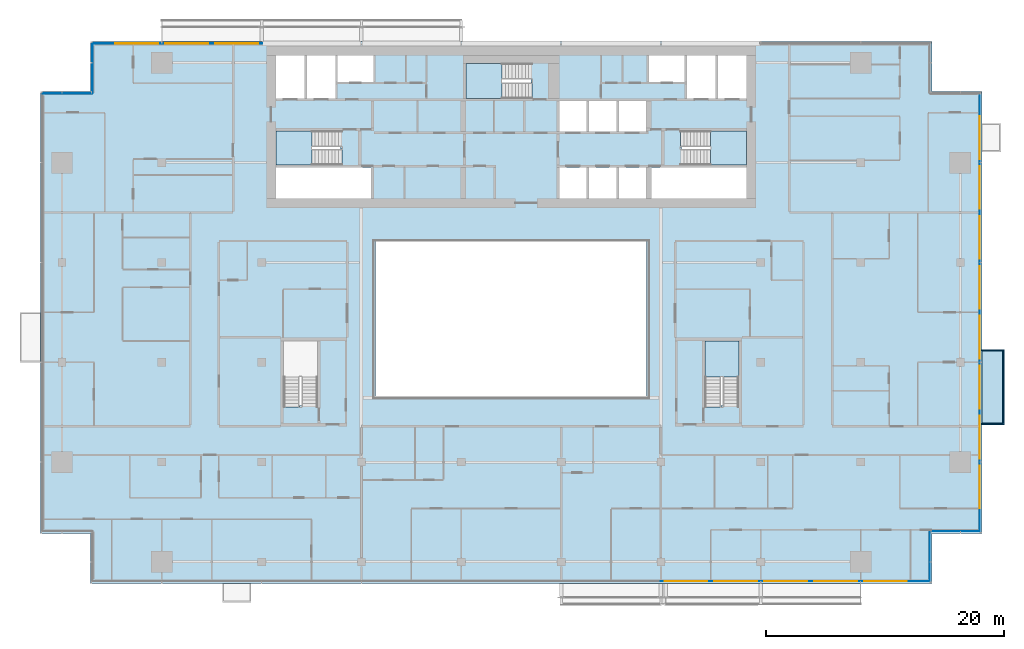
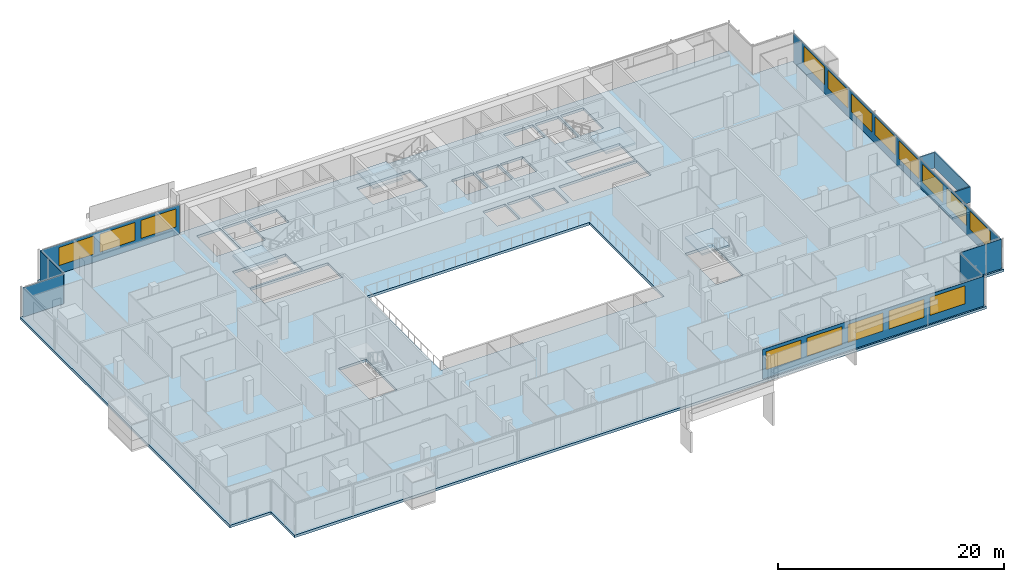
# One storey, part 15 of 28: 16 windows, 8 plates, 6 slabs, 16 openings, 11 elements without a shape of their own.
"""IFC4 building model written with IfcOpenShell, lengths in metres."""

from ifc_helpers import new_model, si_unit, direction, frame, frame_2d, origin, place, context, subcontext, project, spatial, polyline, rectangle, outline, extrude, material, layer, layer_set, type_object, element, fill, aggregate, save


model = new_model("IFC4")

# Units and contexts
model_context = context("Model", 3, precision=1e-05, world=origin(), true_north=direction((0.0, 1.0)))
body_context = subcontext(model_context, "Body", "Model", "MODEL_VIEW")
ifc_project = project(units=[si_unit("LENGTHUNIT", "METRE"), si_unit("AREAUNIT", "SQUARE_METRE"), si_unit("VOLUMEUNIT", "CUBIC_METRE"), si_unit("PLANEANGLEUNIT", "RADIAN"), si_unit("MASSUNIT", "GRAM", prefix="KILO")], contexts=[model_context])

# Site, building, storey
site_placement = place(None, origin())
site = spatial("IfcSite", under=ifc_project, at=site_placement, CompositionType="ELEMENT")
building_placement = place(site_placement, origin())
building = spatial("IfcBuilding", under=site, at=building_placement, Name="Saffron Gate Tower", CompositionType="ELEMENT")
storey_placement = place(building_placement, frame((0.0, 0.0, 176.25)))
storey = spatial("IfcBuildingStorey", under=building, at=storey_placement, Name="L43", CompositionType="ELEMENT", Elevation=176.25)

# Curtain wall, plate, openings, windows
ifc_material_1 = material(Name="Aluminium, bronze anodised", Category="aluminium")
curtain_wall_type_1 = type_object("IfcCurtainWallType", Name="CWS1 curtain wall front facade", PredefinedType="NOTDEFINED", material=ifc_material_1)
curtain_wall_1_placement = place(storey_placement, origin())
curtain_wall_1 = element("IfcCurtainWall", 1, at=curtain_wall_1_placement, inside=storey, type_object=curtain_wall_type_1, Name="CWS1 run 1", PredefinedType="NOTDEFINED")
ifc_material_2 = material(Name="Fritted bronze-tinted laminated glass", Category="glass")
ifc_layer_1 = layer(ifc_material_2, 0.028076171875)
ifc_layer_set_1 = layer_set([ifc_layer_1], Name="CWS1 fixed glass")
plate_type_1 = type_object("IfcPlateType", Name="CWS1 fixed glass", PredefinedType="CURTAIN_PANEL", material=ifc_layer_set_1)
plate_1_placement = place(storey_placement, frame((100.169921875, 30.174072265625, 0.0), z_axis=(0.0, 0.0, 1.0), x_axis=(1.0, 0.0, 0.0)))
plate_1 = element("IfcPlate", 2, at=plate_1_placement, type_object=plate_type_1, Name="CWS1 glass panel", PredefinedType="CURTAIN_PANEL", context=body_context, shape_type="SweptSolid", body=[
    extrude(rectangle(XDim=22.64208984375, YDim=0.028076171875, at=frame_2d((11.321044921875, 0.0))), origin(), (0.0, 0.0, 1.0), 3.199951171875),
])
opening_1_placement = place(plate_1_placement, frame((0.330078125, 0.0, 0.89990234375)))
opening_1 = element("IfcOpeningElement", 3, at=opening_1_placement, cuts=plate_1, Name="Opening W1", PredefinedType="OPENING", context=body_context, shape_type="SweptSolid", body=[
    extrude(rectangle(XDim=3.60009765625, YDim=1.949951171875, at=frame_2d((1.800048828125, 0.97509765625))), frame((0.0, 0.02392578125, 0.0), z_axis=(0.0, -1.0, 0.0), x_axis=(1.0, 0.0, 0.0)), (0.0, 0.0, 1.0), 0.048095703125),
])
opening_2_placement = place(plate_1_placement, frame((4.530029296875, 0.0, 0.89990234375)))
opening_2 = element("IfcOpeningElement", 4, at=opening_2_placement, cuts=plate_1, Name="Opening W1", PredefinedType="OPENING", context=body_context, shape_type="SweptSolid", body=[
    extrude(rectangle(XDim=3.60009765625, YDim=1.949951171875, at=frame_2d((1.800048828125, 0.97509765625))), frame((0.0, 0.02392578125, 0.0), z_axis=(0.0, -1.0, 0.0), x_axis=(1.0, 0.0, 0.0)), (0.0, 0.0, 1.0), 0.048095703125),
])
opening_3_placement = place(plate_1_placement, frame((8.72998046875, 0.0, 0.89990234375)))
opening_3 = element("IfcOpeningElement", 5, at=opening_3_placement, cuts=plate_1, Name="Opening W1", PredefinedType="OPENING", context=body_context, shape_type="SweptSolid", body=[
    extrude(rectangle(XDim=3.60009765625, YDim=1.949951171875, at=frame_2d((1.800048828125, 0.97509765625))), frame((0.0, 0.02392578125, 0.0), z_axis=(0.0, -1.0, 0.0), x_axis=(1.0, 0.0, 0.0)), (0.0, 0.0, 1.0), 0.048095703125),
])
opening_4_placement = place(plate_1_placement, frame((12.929931640625, 0.0, 0.89990234375)))
opening_4 = element("IfcOpeningElement", 6, at=opening_4_placement, cuts=plate_1, Name="Opening W1", PredefinedType="OPENING", context=body_context, shape_type="SweptSolid", body=[
    extrude(rectangle(XDim=3.60009765625, YDim=1.949951171875, at=frame_2d((1.800048828125, 0.97509765625))), frame((0.0, 0.02392578125, 0.0), z_axis=(0.0, -1.0, 0.0), x_axis=(1.0, 0.0, 0.0)), (0.0, 0.0, 1.0), 0.048095703125),
])
opening_5_placement = place(plate_1_placement, frame((17.1298828125, 0.0, 0.89990234375)))
opening_5 = element("IfcOpeningElement", 7, at=opening_5_placement, cuts=plate_1, Name="Opening W1", PredefinedType="OPENING", context=body_context, shape_type="SweptSolid", body=[
    extrude(rectangle(XDim=3.60009765625, YDim=1.949951171875, at=frame_2d((1.800048828125, 0.97509765625))), frame((0.0, 0.02392578125, 0.0), z_axis=(0.0, -1.0, 0.0), x_axis=(1.0, 0.0, 0.0)), (0.0, 0.0, 1.0), 0.048095703125),
])
ifc_material_3 = material(Name="Fritted bronze-tinted laminated glass in bronze frame", Category="glass")
ifc_layer_2 = layer(ifc_material_3, 0.06005859375)
ifc_layer_set_2 = layer_set([ifc_layer_2], Name="W1 operable panel 3600x1950")
window_type = type_object("IfcWindowType", Name="W1 operable panel 3600x1950", PartitioningType="DOUBLE_PANEL_HORIZONTAL", PredefinedType="WINDOW", material=ifc_layer_set_2)
window_1_placement = place(opening_1_placement, origin())
window_1 = element("IfcWindow", 8, at=window_1_placement, type_object=window_type, Name="W1 operable panel", OverallHeight=1.949951171875, OverallWidth=3.60009765625, PartitioningType="SINGLE_PANEL", PredefinedType="WINDOW", context=body_context, shape_type="SweptSolid", body=[
    extrude(rectangle(XDim=3.60009765625, YDim=1.949951171875, at=frame_2d((1.800048828125, 0.97509765625))), frame((0.0, 0.013671875, 0.0), z_axis=(0.0, -1.0, 0.0), x_axis=(1.0, 0.0, 0.0)), (0.0, 0.0, 1.0), 0.027587890625),
])
fill(opening_1, window_1)
window_2_placement = place(opening_2_placement, origin())
window_2 = element("IfcWindow", 9, at=window_2_placement, type_object=window_type, Name="W1 operable panel", OverallHeight=1.949951171875, OverallWidth=3.60009765625, PartitioningType="SINGLE_PANEL", PredefinedType="WINDOW", context=body_context, shape_type="SweptSolid", body=[
    extrude(rectangle(XDim=3.60009765625, YDim=1.949951171875, at=frame_2d((1.800048828125, 0.97509765625))), frame((0.0, 0.013671875, 0.0), z_axis=(0.0, -1.0, 0.0), x_axis=(1.0, 0.0, 0.0)), (0.0, 0.0, 1.0), 0.027587890625),
])
fill(opening_2, window_2)
window_3_placement = place(opening_3_placement, origin())
window_3 = element("IfcWindow", 10, at=window_3_placement, type_object=window_type, Name="W1 operable panel", OverallHeight=1.949951171875, OverallWidth=3.60009765625, PartitioningType="SINGLE_PANEL", PredefinedType="WINDOW", context=body_context, shape_type="SweptSolid", body=[
    extrude(rectangle(XDim=3.60009765625, YDim=1.949951171875, at=frame_2d((1.800048828125, 0.97509765625))), frame((0.0, 0.013671875, 0.0), z_axis=(0.0, -1.0, 0.0), x_axis=(1.0, 0.0, 0.0)), (0.0, 0.0, 1.0), 0.027587890625),
])
fill(opening_3, window_3)
window_4_placement = place(opening_4_placement, origin())
window_4 = element("IfcWindow", 11, at=window_4_placement, type_object=window_type, Name="W1 operable panel", OverallHeight=1.949951171875, OverallWidth=3.60009765625, PartitioningType="SINGLE_PANEL", PredefinedType="WINDOW", context=body_context, shape_type="SweptSolid", body=[
    extrude(rectangle(XDim=3.60009765625, YDim=1.949951171875, at=frame_2d((1.800048828125, 0.97509765625))), frame((0.0, 0.013671875, 0.0), z_axis=(0.0, -1.0, 0.0), x_axis=(1.0, 0.0, 0.0)), (0.0, 0.0, 1.0), 0.027587890625),
])
fill(opening_4, window_4)
window_5_placement = place(opening_5_placement, origin())
window_5 = element("IfcWindow", 12, at=window_5_placement, type_object=window_type, Name="W1 operable panel", OverallHeight=1.949951171875, OverallWidth=3.60009765625, PartitioningType="SINGLE_PANEL", PredefinedType="WINDOW", context=body_context, shape_type="SweptSolid", body=[
    extrude(rectangle(XDim=3.60009765625, YDim=1.949951171875, at=frame_2d((1.800048828125, 0.97509765625))), frame((0.0, 0.013671875, 0.0), z_axis=(0.0, -1.0, 0.0), x_axis=(1.0, 0.0, 0.0)), (0.0, 0.0, 1.0), 0.027587890625),
])
fill(opening_5, window_5)
aggregate(curtain_wall_1, [plate_1, window_1, window_2, window_3, window_4, window_5])

curtain_wall_type_2 = type_object("IfcCurtainWallType", Name="CWS2 curtain wall side facades", PredefinedType="NOTDEFINED", material=ifc_material_1)
curtain_wall_2_placement = place(storey_placement, origin())
curtain_wall_2 = element("IfcCurtainWall", 13, at=curtain_wall_2_placement, inside=storey, type_object=curtain_wall_type_2, Name="CWS2 run 4", PredefinedType="NOTDEFINED")
ifc_layer_3 = layer(ifc_material_2, 0.028076171875)
ifc_layer_set_3 = layer_set([ifc_layer_3], Name="CWS2 fixed glass")
plate_type_2 = type_object("IfcPlateType", Name="CWS2 fixed glass", PredefinedType="CURTAIN_PANEL", material=ifc_layer_set_3)
plate_2_placement = place(storey_placement, frame((127.02587890625, 34.387939453125, 0.0), z_axis=(0.0, 0.0, 1.0), x_axis=(0.0, 1.0, 0.0)))
plate_2 = element("IfcPlate", 14, at=plate_2_placement, type_object=plate_type_2, Name="CWS2 glass panel", PredefinedType="CURTAIN_PANEL", context=body_context, shape_type="SweptSolid", body=[
    extrude(rectangle(XDim=36.823974609375, YDim=0.028076171875, at=frame_2d((18.412109375, 0.0))), origin(), (0.0, 0.0, 1.0), 3.199951171875),
])
opening_6_placement = place(plate_2_placement, frame((1.912109375, 0.0, 0.89990234375)))
opening_6 = element("IfcOpeningElement", 15, at=opening_6_placement, cuts=plate_2, Name="Opening W1", PredefinedType="OPENING", context=body_context, shape_type="SweptSolid", body=[
    extrude(rectangle(XDim=3.60009765625, YDim=1.949951171875, at=frame_2d((1.800048828125, 0.97509765625))), frame((0.0, 0.02392578125, 0.0), z_axis=(0.0, -1.0, 0.0), x_axis=(1.0, 0.0, 0.0)), (0.0, 0.0, 1.0), 0.048095703125),
])
opening_7_placement = place(plate_2_placement, frame((6.112060546875, 0.0, 0.89990234375)))
opening_7 = element("IfcOpeningElement", 16, at=opening_7_placement, cuts=plate_2, Name="Opening W1", PredefinedType="OPENING", context=body_context, shape_type="SweptSolid", body=[
    extrude(rectangle(XDim=3.60009765625, YDim=1.949951171875, at=frame_2d((1.800048828125, 0.97509765625))), frame((0.0, 0.02392578125, 0.0), z_axis=(0.0, -1.0, 0.0), x_axis=(1.0, 0.0, 0.0)), (0.0, 0.0, 1.0), 0.048095703125),
])
opening_8_placement = place(plate_2_placement, frame((10.31201171875, 0.0, 0.89990234375)))
opening_8 = element("IfcOpeningElement", 17, at=opening_8_placement, cuts=plate_2, Name="Opening W1", PredefinedType="OPENING", context=body_context, shape_type="SweptSolid", body=[
    extrude(rectangle(XDim=3.60009765625, YDim=1.949951171875, at=frame_2d((1.800048828125, 0.97509765625))), frame((0.0, 0.02392578125, 0.0), z_axis=(0.0, -1.0, 0.0), x_axis=(1.0, 0.0, 0.0)), (0.0, 0.0, 1.0), 0.048095703125),
])
opening_9_placement = place(plate_2_placement, frame((14.511962890625, 0.0, 0.89990234375)))
opening_9 = element("IfcOpeningElement", 18, at=opening_9_placement, cuts=plate_2, Name="Opening W1", PredefinedType="OPENING", context=body_context, shape_type="SweptSolid", body=[
    extrude(rectangle(XDim=3.60009765625, YDim=1.949951171875, at=frame_2d((1.800048828125, 0.97509765625))), frame((0.0, 0.02392578125, 0.0), z_axis=(0.0, -1.0, 0.0), x_axis=(1.0, 0.0, 0.0)), (0.0, 0.0, 1.0), 0.048095703125),
])
opening_10_placement = place(plate_2_placement, frame((18.7119140625, 0.0, 0.89990234375)))
opening_10 = element("IfcOpeningElement", 19, at=opening_10_placement, cuts=plate_2, Name="Opening W1", PredefinedType="OPENING", context=body_context, shape_type="SweptSolid", body=[
    extrude(rectangle(XDim=3.60009765625, YDim=1.949951171875, at=frame_2d((1.800048828125, 0.97509765625))), frame((0.0, 0.02392578125, 0.0), z_axis=(0.0, -1.0, 0.0), x_axis=(1.0, 0.0, 0.0)), (0.0, 0.0, 1.0), 0.048095703125),
])
opening_11_placement = place(plate_2_placement, frame((22.912109375, 0.0, 0.89990234375)))
opening_11 = element("IfcOpeningElement", 20, at=opening_11_placement, cuts=plate_2, Name="Opening W1", PredefinedType="OPENING", context=body_context, shape_type="SweptSolid", body=[
    extrude(rectangle(XDim=3.60009765625, YDim=1.949951171875, at=frame_2d((1.800048828125, 0.97509765625))), frame((0.0, 0.02392578125, 0.0), z_axis=(0.0, -1.0, 0.0), x_axis=(1.0, 0.0, 0.0)), (0.0, 0.0, 1.0), 0.048095703125),
])
opening_12_placement = place(plate_2_placement, frame((27.112060546875, 0.0, 0.89990234375)))
opening_12 = element("IfcOpeningElement", 21, at=opening_12_placement, cuts=plate_2, Name="Opening W1", PredefinedType="OPENING", context=body_context, shape_type="SweptSolid", body=[
    extrude(rectangle(XDim=3.60009765625, YDim=1.949951171875, at=frame_2d((1.800048828125, 0.97509765625))), frame((0.0, 0.02392578125, 0.0), z_axis=(0.0, -1.0, 0.0), x_axis=(1.0, 0.0, 0.0)), (0.0, 0.0, 1.0), 0.048095703125),
])
opening_13_placement = place(plate_2_placement, frame((31.31201171875, 0.0, 0.89990234375)))
opening_13 = element("IfcOpeningElement", 22, at=opening_13_placement, cuts=plate_2, Name="Opening W1", PredefinedType="OPENING", context=body_context, shape_type="SweptSolid", body=[
    extrude(rectangle(XDim=3.60009765625, YDim=1.949951171875, at=frame_2d((1.800048828125, 0.97509765625))), frame((0.0, 0.02392578125, 0.0), z_axis=(0.0, -1.0, 0.0), x_axis=(1.0, 0.0, 0.0)), (0.0, 0.0, 1.0), 0.048095703125),
])
window_6_placement = place(opening_6_placement, origin())
window_6 = element("IfcWindow", 23, at=window_6_placement, type_object=window_type, Name="W1 operable panel", OverallHeight=1.949951171875, OverallWidth=3.60009765625, PartitioningType="SINGLE_PANEL", PredefinedType="WINDOW", context=body_context, shape_type="SweptSolid", body=[
    extrude(rectangle(XDim=3.60009765625, YDim=1.949951171875, at=frame_2d((1.800048828125, 0.97509765625))), frame((0.0, 0.013671875, 0.0), z_axis=(0.0, -1.0, 0.0), x_axis=(1.0, 0.0, 0.0)), (0.0, 0.0, 1.0), 0.027587890625),
])
fill(opening_6, window_6)
window_7_placement = place(opening_7_placement, origin())
window_7 = element("IfcWindow", 24, at=window_7_placement, type_object=window_type, Name="W1 operable panel", OverallHeight=1.949951171875, OverallWidth=3.60009765625, PartitioningType="SINGLE_PANEL", PredefinedType="WINDOW", context=body_context, shape_type="SweptSolid", body=[
    extrude(rectangle(XDim=3.60009765625, YDim=1.949951171875, at=frame_2d((1.800048828125, 0.97509765625))), frame((0.0, 0.013671875, 0.0), z_axis=(0.0, -1.0, 0.0), x_axis=(1.0, 0.0, 0.0)), (0.0, 0.0, 1.0), 0.027587890625),
])
fill(opening_7, window_7)
window_8_placement = place(opening_8_placement, origin())
window_8 = element("IfcWindow", 25, at=window_8_placement, type_object=window_type, Name="W1 operable panel", OverallHeight=1.949951171875, OverallWidth=3.60009765625, PartitioningType="SINGLE_PANEL", PredefinedType="WINDOW", context=body_context, shape_type="SweptSolid", body=[
    extrude(rectangle(XDim=3.60009765625, YDim=1.949951171875, at=frame_2d((1.800048828125, 0.97509765625))), frame((0.0, 0.013671875, 0.0), z_axis=(0.0, -1.0, 0.0), x_axis=(1.0, 0.0, 0.0)), (0.0, 0.0, 1.0), 0.027587890625),
])
fill(opening_8, window_8)
window_9_placement = place(opening_9_placement, origin())
window_9 = element("IfcWindow", 26, at=window_9_placement, type_object=window_type, Name="W1 operable panel", OverallHeight=1.949951171875, OverallWidth=3.60009765625, PartitioningType="SINGLE_PANEL", PredefinedType="WINDOW", context=body_context, shape_type="SweptSolid", body=[
    extrude(rectangle(XDim=3.60009765625, YDim=1.949951171875, at=frame_2d((1.800048828125, 0.97509765625))), frame((0.0, 0.013671875, 0.0), z_axis=(0.0, -1.0, 0.0), x_axis=(1.0, 0.0, 0.0)), (0.0, 0.0, 1.0), 0.027587890625),
])
fill(opening_9, window_9)
window_10_placement = place(opening_10_placement, origin())
window_10 = element("IfcWindow", 27, at=window_10_placement, type_object=window_type, Name="W1 operable panel", OverallHeight=1.949951171875, OverallWidth=3.60009765625, PartitioningType="SINGLE_PANEL", PredefinedType="WINDOW", context=body_context, shape_type="SweptSolid", body=[
    extrude(rectangle(XDim=3.60009765625, YDim=1.949951171875, at=frame_2d((1.800048828125, 0.97509765625))), frame((0.0, 0.013671875, 0.0), z_axis=(0.0, -1.0, 0.0), x_axis=(1.0, 0.0, 0.0)), (0.0, 0.0, 1.0), 0.027587890625),
])
fill(opening_10, window_10)
window_11_placement = place(opening_11_placement, origin())
window_11 = element("IfcWindow", 28, at=window_11_placement, type_object=window_type, Name="W1 operable panel", OverallHeight=1.949951171875, OverallWidth=3.60009765625, PartitioningType="SINGLE_PANEL", PredefinedType="WINDOW", context=body_context, shape_type="SweptSolid", body=[
    extrude(rectangle(XDim=3.60009765625, YDim=1.949951171875, at=frame_2d((1.800048828125, 0.97509765625))), frame((0.0, 0.013671875, 0.0), z_axis=(0.0, -1.0, 0.0), x_axis=(1.0, 0.0, 0.0)), (0.0, 0.0, 1.0), 0.027587890625),
])
fill(opening_11, window_11)
window_12_placement = place(opening_12_placement, origin())
window_12 = element("IfcWindow", 29, at=window_12_placement, type_object=window_type, Name="W1 operable panel", OverallHeight=1.949951171875, OverallWidth=3.60009765625, PartitioningType="SINGLE_PANEL", PredefinedType="WINDOW", context=body_context, shape_type="SweptSolid", body=[
    extrude(rectangle(XDim=3.60009765625, YDim=1.949951171875, at=frame_2d((1.800048828125, 0.97509765625))), frame((0.0, 0.013671875, 0.0), z_axis=(0.0, -1.0, 0.0), x_axis=(1.0, 0.0, 0.0)), (0.0, 0.0, 1.0), 0.027587890625),
])
fill(opening_12, window_12)
window_13_placement = place(opening_13_placement, origin())
window_13 = element("IfcWindow", 30, at=window_13_placement, type_object=window_type, Name="W1 operable panel", OverallHeight=1.949951171875, OverallWidth=3.60009765625, PartitioningType="SINGLE_PANEL", PredefinedType="WINDOW", context=body_context, shape_type="SweptSolid", body=[
    extrude(rectangle(XDim=3.60009765625, YDim=1.949951171875, at=frame_2d((1.800048828125, 0.97509765625))), frame((0.0, 0.013671875, 0.0), z_axis=(0.0, -1.0, 0.0), x_axis=(1.0, 0.0, 0.0)), (0.0, 0.0, 1.0), 0.027587890625),
])
fill(opening_13, window_13)
aggregate(curtain_wall_2, [plate_2, window_6, window_7, window_8, window_9, window_10, window_11, window_12, window_13])

curtain_wall_type_3 = type_object("IfcCurtainWallType", Name="CWS3 curtain wall rear facade", PredefinedType="NOTDEFINED", material=ifc_material_1)
curtain_wall_3_placement = place(storey_placement, origin())
curtain_wall_3 = element("IfcCurtainWall", 31, at=curtain_wall_3_placement, inside=storey, type_object=curtain_wall_type_3, Name="CWS3 run 7", PredefinedType="NOTDEFINED")
ifc_material_4 = material(Name="Fritted grey-tinted laminated glass", Category="glass")
ifc_layer_4 = layer(ifc_material_4, 0.028076171875)
ifc_layer_set_4 = layer_set([ifc_layer_4], Name="CWS3 fixed glass")
plate_type_3 = type_object("IfcPlateType", Name="CWS3 fixed glass", PredefinedType="CURTAIN_PANEL", material=ifc_layer_set_4)
plate_3_placement = place(storey_placement, frame((66.635009765625, 75.426025390625, 0.0), z_axis=(0.0, 0.0, 1.0), x_axis=(-1.0, 0.0, 0.0)))
plate_3 = element("IfcPlate", 32, at=plate_3_placement, type_object=plate_type_3, Name="CWS3 glass panel", PredefinedType="CURTAIN_PANEL", context=body_context, shape_type="SweptSolid", body=[
    extrude(rectangle(XDim=14.2470703125, YDim=0.028076171875, at=frame_2d((7.12353515625, 0.0))), origin(), (0.0, 0.0, 1.0), 3.199951171875),
])
opening_14_placement = place(plate_3_placement, frame((0.3349609375, 0.0, 0.89990234375)))
opening_14 = element("IfcOpeningElement", 33, at=opening_14_placement, cuts=plate_3, Name="Opening W1", PredefinedType="OPENING", context=body_context, shape_type="SweptSolid", body=[
    extrude(rectangle(XDim=3.60009765625, YDim=1.949951171875, at=frame_2d((1.800048828125, 0.97509765625))), frame((0.0, 0.02392578125, 0.0), z_axis=(0.0, -1.0, 0.0), x_axis=(1.0, 0.0, 0.0)), (0.0, 0.0, 1.0), 0.048095703125),
])
opening_15_placement = place(plate_3_placement, frame((4.534912109375, 0.0, 0.89990234375)))
opening_15 = element("IfcOpeningElement", 34, at=opening_15_placement, cuts=plate_3, Name="Opening W1", PredefinedType="OPENING", context=body_context, shape_type="SweptSolid", body=[
    extrude(rectangle(XDim=3.60009765625, YDim=1.949951171875, at=frame_2d((1.800048828125, 0.97509765625))), frame((0.0, 0.02392578125, 0.0), z_axis=(0.0, -1.0, 0.0), x_axis=(1.0, 0.0, 0.0)), (0.0, 0.0, 1.0), 0.048095703125),
])
opening_16_placement = place(plate_3_placement, frame((8.735107421875, 0.0, 0.89990234375)))
opening_16 = element("IfcOpeningElement", 35, at=opening_16_placement, cuts=plate_3, Name="Opening W1", PredefinedType="OPENING", context=body_context, shape_type="SweptSolid", body=[
    extrude(rectangle(XDim=3.60009765625, YDim=1.949951171875, at=frame_2d((1.800048828125, 0.97509765625))), frame((0.0, 0.02392578125, 0.0), z_axis=(0.0, -1.0, 0.0), x_axis=(1.0, 0.0, 0.0)), (0.0, 0.0, 1.0), 0.048095703125),
])
window_14_placement = place(opening_14_placement, origin())
window_14 = element("IfcWindow", 36, at=window_14_placement, type_object=window_type, Name="W1 operable panel", OverallHeight=1.949951171875, OverallWidth=3.60009765625, PartitioningType="SINGLE_PANEL", PredefinedType="WINDOW", context=body_context, shape_type="SweptSolid", body=[
    extrude(rectangle(XDim=3.60009765625, YDim=1.949951171875, at=frame_2d((1.800048828125, 0.97509765625))), frame((0.0, 0.013671875, 0.0), z_axis=(0.0, -1.0, 0.0), x_axis=(1.0, 0.0, 0.0)), (0.0, 0.0, 1.0), 0.027587890625),
])
fill(opening_14, window_14)
window_15_placement = place(opening_15_placement, origin())
window_15 = element("IfcWindow", 37, at=window_15_placement, type_object=window_type, Name="W1 operable panel", OverallHeight=1.949951171875, OverallWidth=3.60009765625, PartitioningType="SINGLE_PANEL", PredefinedType="WINDOW", context=body_context, shape_type="SweptSolid", body=[
    extrude(rectangle(XDim=3.60009765625, YDim=1.949951171875, at=frame_2d((1.800048828125, 0.97509765625))), frame((0.0, 0.013671875, 0.0), z_axis=(0.0, -1.0, 0.0), x_axis=(1.0, 0.0, 0.0)), (0.0, 0.0, 1.0), 0.027587890625),
])
fill(opening_15, window_15)
window_16_placement = place(opening_16_placement, origin())
window_16 = element("IfcWindow", 38, at=window_16_placement, type_object=window_type, Name="W1 operable panel", OverallHeight=1.949951171875, OverallWidth=3.60009765625, PartitioningType="SINGLE_PANEL", PredefinedType="WINDOW", context=body_context, shape_type="SweptSolid", body=[
    extrude(rectangle(XDim=3.60009765625, YDim=1.949951171875, at=frame_2d((1.800048828125, 0.97509765625))), frame((0.0, 0.013671875, 0.0), z_axis=(0.0, -1.0, 0.0), x_axis=(1.0, 0.0, 0.0)), (0.0, 0.0, 1.0), 0.027587890625),
])
fill(opening_16, window_16)
aggregate(curtain_wall_3, [plate_3, window_14, window_15, window_16])

# Curtain wall, plate
curtain_wall_type_4 = type_object("IfcCurtainWallType", Name="CWS4 curtain wall corner returns", PredefinedType="NOTDEFINED", material=ifc_material_1)
curtain_wall_4_placement = place(storey_placement, origin())
curtain_wall_4 = element("IfcCurtainWall", 39, at=curtain_wall_4_placement, inside=storey, type_object=curtain_wall_type_4, Name="CWS4 run 2", PredefinedType="NOTDEFINED")
ifc_layer_5 = layer(ifc_material_2, 0.028076171875)
ifc_layer_set_5 = layer_set([ifc_layer_5], Name="CWS4 fixed glass")
plate_type_4 = type_object("IfcPlateType", Name="CWS4 fixed glass", PredefinedType="CURTAIN_PANEL", material=ifc_layer_set_5)
plate_4_placement = place(storey_placement, frame((122.825927734375, 30.18798828125, 0.0), z_axis=(0.0, 0.0, 1.0), x_axis=(0.0, 1.0, 0.0)))
plate_4 = element("IfcPlate", 40, at=plate_4_placement, type_object=plate_type_4, Name="CWS4 glass panel", PredefinedType="CURTAIN_PANEL", context=body_context, shape_type="SweptSolid", body=[
    extrude(rectangle(XDim=4.172119140625, YDim=0.028076171875, at=frame_2d((2.0859375, 0.0))), origin(), (0.0, 0.0, 1.0), 3.199951171875),
])
aggregate(curtain_wall_4, [plate_4])

curtain_wall_5_placement = place(storey_placement, origin())
curtain_wall_5 = element("IfcCurtainWall", 41, at=curtain_wall_5_placement, inside=storey, type_object=curtain_wall_type_4, Name="CWS4 run 3", PredefinedType="NOTDEFINED")
plate_5_placement = place(storey_placement, frame((122.840087890625, 34.3740234375, 0.0), z_axis=(0.0, 0.0, 1.0), x_axis=(1.0, 0.0, 0.0)))
plate_5 = element("IfcPlate", 42, at=plate_5_placement, type_object=plate_type_4, Name="CWS4 glass panel", PredefinedType="CURTAIN_PANEL", context=body_context, shape_type="SweptSolid", body=[
    extrude(rectangle(XDim=4.171875, YDim=0.028076171875, at=frame_2d((2.0859375, 0.0))), origin(), (0.0, 0.0, 1.0), 3.199951171875),
])
aggregate(curtain_wall_5, [plate_5])

curtain_wall_6_placement = place(storey_placement, origin())
curtain_wall_6 = element("IfcCurtainWall", 43, at=curtain_wall_6_placement, inside=storey, type_object=curtain_wall_type_4, Name="CWS4 run 8", PredefinedType="NOTDEFINED")
plate_6_placement = place(storey_placement, frame((52.3740234375, 75.412109375, 0.0), z_axis=(0.0, 0.0, 1.0), x_axis=(0.0, -1.0, 0.0)))
plate_6 = element("IfcPlate", 44, at=plate_6_placement, type_object=plate_type_4, Name="CWS4 glass panel", PredefinedType="CURTAIN_PANEL", context=body_context, shape_type="SweptSolid", body=[
    extrude(rectangle(XDim=4.172119140625, YDim=0.028076171875, at=frame_2d((2.0859375, 0.0))), origin(), (0.0, 0.0, 1.0), 3.199951171875),
])
aggregate(curtain_wall_6, [plate_6])

curtain_wall_7_placement = place(storey_placement, origin())
curtain_wall_7 = element("IfcCurtainWall", 45, at=curtain_wall_7_placement, inside=storey, type_object=curtain_wall_type_4, Name="CWS4 run 9", PredefinedType="NOTDEFINED")
plate_7_placement = place(storey_placement, frame((52.360107421875, 71.22607421875, 0.0), z_axis=(0.0, 0.0, 1.0), x_axis=(-1.0, 0.0, 0.0)))
plate_7 = element("IfcPlate", 46, at=plate_7_placement, type_object=plate_type_4, Name="CWS4 glass panel", PredefinedType="CURTAIN_PANEL", context=body_context, shape_type="SweptSolid", body=[
    extrude(rectangle(XDim=4.172119140625, YDim=0.028076171875, at=frame_2d((2.0859375, 0.0))), origin(), (0.0, 0.0, 1.0), 3.199951171875),
])
aggregate(curtain_wall_7, [plate_7])

# Slab
ifc_material_5 = material(Name="Concrete C40", Category="concrete")
ifc_layer_6 = layer(ifc_material_5, 0.280029296875)
ifc_layer_set_6 = layer_set([ifc_layer_6], Name="S2 FLOOR SLAB 280 CONCRETE C40")
slab_type_1 = type_object("IfcSlabType", Name="S2 FLOOR SLAB 280 CONCRETE C40", PredefinedType="FLOOR", material=ifc_layer_set_6)
slab_1_placement = place(storey_placement, frame((0.0, 0.0, -0.280029296875)))
element("IfcSlab", 47, at=slab_1_placement, inside=storey, type_object=slab_type_1, Name="S2 FLOOR SLAB", PredefinedType="FLOOR", context=body_context, shape_type="SweptSolid", body=[
    extrude(outline(polyline([(48.0, 34.199951171875), (52.199951171875, 34.199951171875), (52.199951171875, 30.0), (123.0, 30.0), (123.0, 34.199951171875), (127.199951171875, 34.199951171875), (127.199951171875, 71.39990234375), (123.0, 71.39990234375), (123.0, 75.60009765625), (52.199951171875, 75.60009765625), (52.199951171875, 71.39990234375), (48.0, 71.39990234375), (48.0, 34.199951171875)]), holes=[polyline([(67.800048828125, 62.39990234375), (67.800048828125, 65.0), (75.800048828125, 65.0), (75.800048828125, 62.39990234375), (67.800048828125, 62.39990234375)]), polyline([(67.800048828125, 65.199951171875), (67.800048828125, 68.050048828125), (73.25, 68.050048828125), (73.25, 66.550048828125), (73.34912109375, 66.550048828125), (73.34912109375, 65.199951171875), (67.800048828125, 65.199951171875)]), polyline([(67.800048828125, 70.800048828125), (67.800048828125, 74.39990234375), (70.199951171875, 74.39990234375), (70.199951171875, 70.800048828125), (67.800048828125, 70.800048828125)]), polyline([(68.449951171875, 44.85107421875), (68.449951171875, 50.39990234375), (71.300048828125, 50.39990234375), (71.300048828125, 44.949951171875), (69.800048828125, 44.949951171875), (69.800048828125, 44.85107421875), (68.449951171875, 44.85107421875)]), polyline([(70.39990234375, 70.800048828125), (70.39990234375, 74.39990234375), (72.800048828125, 74.39990234375), (72.800048828125, 70.800048828125), (70.39990234375, 70.800048828125)]), polyline([(73.0, 72.199951171875), (73.0, 74.39990234375), (76.0, 74.39990234375), (76.0, 72.199951171875), (73.0, 72.199951171875)]), polyline([(76.199951171875, 45.60009765625), (76.199951171875, 58.800048828125), (99.0, 58.800048828125), (99.0, 45.60009765625), (76.199951171875, 45.60009765625)]), polyline([(83.800048828125, 70.800048828125), (83.800048828125, 73.75), (89.25, 73.75), (89.25, 72.14990234375), (89.34912109375, 72.14990234375), (89.34912109375, 70.800048828125), (83.800048828125, 70.800048828125)]), polyline([(91.64990234375, 62.39990234375), (91.64990234375, 65.0), (93.949951171875, 65.0), (93.949951171875, 62.39990234375), (91.64990234375, 62.39990234375)]), polyline([(91.64990234375, 68.0), (91.64990234375, 70.60009765625), (93.949951171875, 70.60009765625), (93.949951171875, 68.0), (91.64990234375, 68.0)]), polyline([(94.14990234375, 62.39990234375), (94.14990234375, 65.0), (96.449951171875, 65.0), (96.449951171875, 62.39990234375), (94.14990234375, 62.39990234375)]), polyline([(94.14990234375, 68.0), (94.14990234375, 70.60009765625), (96.449951171875, 70.60009765625), (96.449951171875, 68.0), (94.14990234375, 68.0)]), polyline([(96.64990234375, 62.39990234375), (96.64990234375, 65.0), (98.949951171875, 65.0), (98.949951171875, 62.39990234375), (96.64990234375, 62.39990234375)]), polyline([(96.64990234375, 68.0), (96.64990234375, 70.60009765625), (98.949951171875, 70.60009765625), (98.949951171875, 68.0), (96.64990234375, 68.0)]), polyline([(99.199951171875, 72.199951171875), (99.199951171875, 74.39990234375), (102.199951171875, 74.39990234375), (102.199951171875, 72.199951171875), (99.199951171875, 72.199951171875)]), polyline([(99.39990234375, 62.39990234375), (99.39990234375, 65.0), (107.39990234375, 65.0), (107.39990234375, 62.39990234375), (99.39990234375, 62.39990234375)]), polyline([(101.85107421875, 66.699951171875), (101.85107421875, 68.050048828125), (107.39990234375, 68.050048828125), (107.39990234375, 65.199951171875), (101.949951171875, 65.199951171875), (101.949951171875, 66.699951171875), (101.85107421875, 66.699951171875)]), polyline([(102.39990234375, 70.800048828125), (102.39990234375, 74.39990234375), (104.800048828125, 74.39990234375), (104.800048828125, 70.800048828125), (102.39990234375, 70.800048828125)]), polyline([(103.89990234375, 44.85107421875), (103.89990234375, 50.39990234375), (106.75, 50.39990234375), (106.75, 44.949951171875), (105.25, 44.949951171875), (105.25, 44.85107421875), (103.89990234375, 44.85107421875)]), polyline([(105.0, 70.800048828125), (105.0, 74.39990234375), (107.39990234375, 74.39990234375), (107.39990234375, 70.800048828125), (105.0, 70.800048828125)])]), origin(), (0.0, 0.0, 1.0), 0.280029296875),
])

# Stair, slab
stair_type = type_object("IfcStairType", Name="ST7 Stair 1350 wide, 20 risers of 180", PredefinedType="HALF_TURN_STAIR", material=ifc_material_5)
stair_1_placement = place(storey_placement, origin())
stair_1 = element("IfcStair", 48, at=stair_1_placement, inside=storey, type_object=stair_type, Name="L43 Exit stair A", PredefinedType="HALF_TURN_STAIR")
ifc_layer_7 = layer(ifc_material_5, 0.199951171875)
ifc_layer_set_7 = layer_set([ifc_layer_7], Name="SL1 Stair landing 200")
slab_type_2 = type_object("IfcSlabType", Name="SL1 Stair landing 200", PredefinedType="LANDING", material=ifc_layer_set_7)
slab_2_placement = place(storey_placement, frame((0.0, 0.0, 1.60009765625)))
slab_2 = element("IfcSlab", 49, at=slab_2_placement, type_object=slab_type_2, Name="ST-A landing 1", PredefinedType="LANDING", context=body_context, shape_type="SweptSolid", body=[
    extrude(outline(polyline([(70.830078125, 68.050048828125), (67.800048828125, 68.050048828125), (67.800048828125, 65.199951171875), (70.830078125, 65.199951171875), (70.830078125, 68.050048828125)])), origin(), (0.0, 0.0, 1.0), 0.199951171875),
])
aggregate(stair_1, [slab_2])

stair_2_placement = place(storey_placement, origin())
stair_2 = element("IfcStair", 50, at=stair_2_placement, inside=storey, type_object=stair_type, Name="L43 Exit stair B", PredefinedType="HALF_TURN_STAIR")
slab_3_placement = place(storey_placement, frame((0.0, 0.0, 1.60009765625)))
slab_3 = element("IfcSlab", 51, at=slab_3_placement, type_object=slab_type_2, Name="ST-B landing 1", PredefinedType="LANDING", context=body_context, shape_type="SweptSolid", body=[
    extrude(outline(polyline([(104.3701171875, 65.199951171875), (107.39990234375, 65.199951171875), (107.39990234375, 68.050048828125), (104.3701171875, 68.050048828125), (104.3701171875, 65.199951171875)])), origin(), (0.0, 0.0, 1.0), 0.199951171875),
])
aggregate(stair_2, [slab_3])

stair_3_placement = place(storey_placement, origin())
stair_3 = element("IfcStair", 52, at=stair_3_placement, inside=storey, type_object=stair_type, Name="L43 Exit stair C", PredefinedType="HALF_TURN_STAIR")
slab_4_placement = place(storey_placement, frame((0.0, 0.0, 1.60009765625)))
slab_4 = element("IfcSlab", 53, at=slab_4_placement, type_object=slab_type_2, Name="ST-C landing 1", PredefinedType="LANDING", context=body_context, shape_type="SweptSolid", body=[
    extrude(outline(polyline([(86.830078125, 73.75), (83.800048828125, 73.75), (83.800048828125, 70.800048828125), (86.830078125, 70.800048828125), (86.830078125, 73.75)])), origin(), (0.0, 0.0, 1.0), 0.199951171875),
])
aggregate(stair_3, [slab_4])

stair_4_placement = place(storey_placement, origin())
stair_4 = element("IfcStair", 54, at=stair_4_placement, inside=storey, type_object=stair_type, Name="L43 Exit stair E", PredefinedType="HALF_TURN_STAIR")
slab_5_placement = place(storey_placement, frame((0.0, 0.0, 1.60009765625)))
slab_5 = element("IfcSlab", 55, at=slab_5_placement, type_object=slab_type_2, Name="ST-E landing 1", PredefinedType="LANDING", context=body_context, shape_type="SweptSolid", body=[
    extrude(outline(polyline([(106.75, 47.3701171875), (106.75, 50.39990234375), (103.89990234375, 50.39990234375), (103.89990234375, 47.3701171875), (106.75, 47.3701171875)])), origin(), (0.0, 0.0, 1.0), 0.199951171875),
])
aggregate(stair_4, [slab_5])

# Slab
ifc_material_6 = material(Name="Timber deck on bronze frame", Category="wood")
ifc_layer_8 = layer(ifc_material_6, 0.199951171875)
ifc_layer_set_8 = layer_set([ifc_layer_8], Name="WB1 box floor")
slab_type_3 = type_object("IfcSlabType", Name="WB1 box floor", PredefinedType="FLOOR", material=ifc_layer_set_8)
slab_6_placement = place(storey_placement, frame((0.0, 0.0, -0.199951171875)))
element("IfcSlab", 56, at=slab_6_placement, inside=storey, type_object=slab_type_3, Name="WINDOW BOX floor", PredefinedType="FLOOR", context=body_context, shape_type="SweptSolid", body=[
    extrude(outline(polyline([(127.199951171875, 43.35009765625), (127.199951171875, 49.64990234375), (129.06689453125, 49.64990234375), (129.06689453125, 43.35009765625), (127.199951171875, 43.35009765625)])), origin(), (0.0, 0.0, 1.0), 0.199951171875),
])

# Plate
ifc_material_7 = material(Name="Clear low-iron laminated glass", Category="glass")
ifc_layer_9 = layer(ifc_material_7, 0.10009765625)
ifc_layer_set_9 = layer_set([ifc_layer_9], Name="WB6 box glazing")
plate_type_5 = type_object("IfcPlateType", Name="WB6 box glazing", PredefinedType="SHEET", material=ifc_layer_set_9)
plate_8_placement = place(storey_placement, frame((0.0, 0.0, 1.0)))
element("IfcPlate", 57, at=plate_8_placement, inside=storey, type_object=plate_type_5, Name="WINDOW BOX glazing", PredefinedType="SHEET", context=body_context, shape_type="SweptSolid", body=[
    extrude(outline(polyline([(127.199951171875, 43.35009765625), (127.199951171875, 43.449951171875), (128.967041015625, 43.449951171875), (128.967041015625, 49.550048828125), (127.199951171875, 49.550048828125), (127.199951171875, 49.64990234375), (129.06689453125, 49.64990234375), (129.06689453125, 43.35009765625), (127.199951171875, 43.35009765625)])), origin(), (0.0, 0.0, 1.0), 1.699951171875),
])

save(model, "model.ifc")
